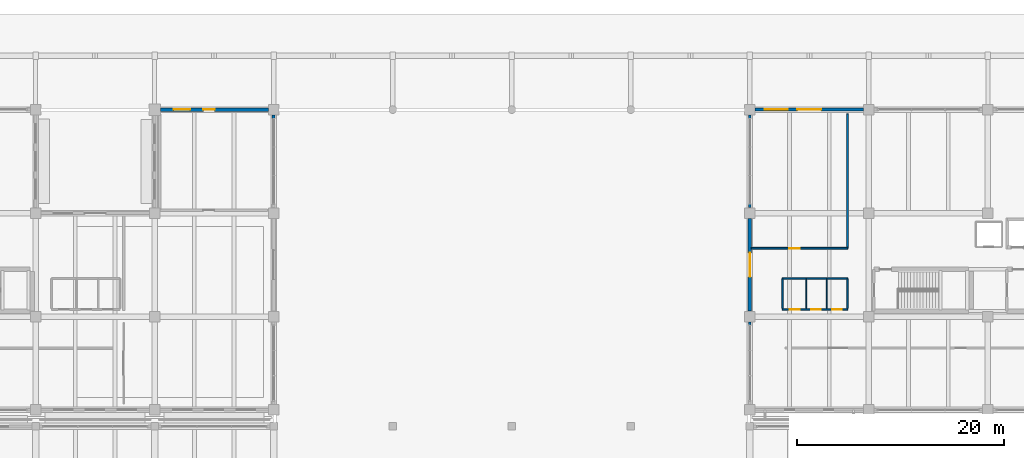
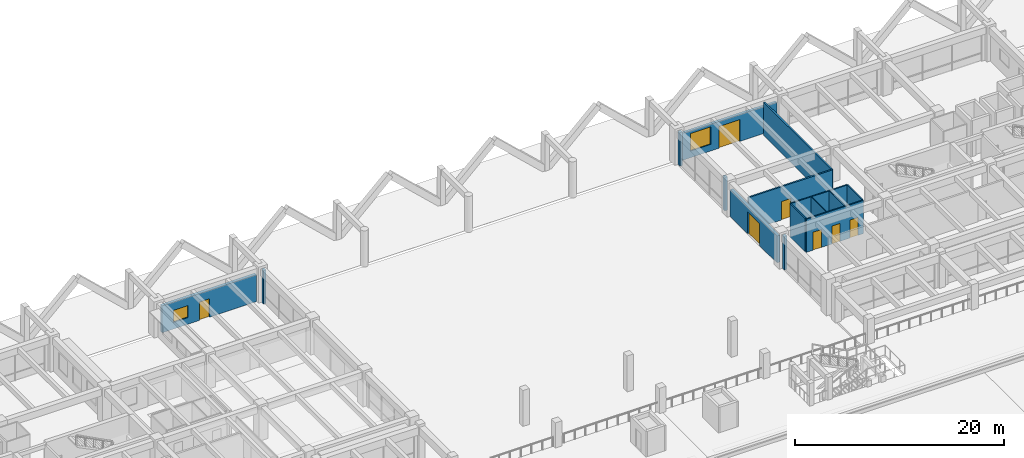
# One storey, part 87 of 109: 15 walls, 7 doors, 2 windows, 9 openings.
"""IFC4 building model written with IfcOpenShell, lengths in metres."""

from ifc_helpers import new_model, si_unit, direction, frame, frame_2d, origin, place, context, subcontext, project, spatial, rectangle, extrude, material, layer, layer_set, type_object, element, fill, save


model = new_model("IFC4")

# Units and contexts
model_context = context("Model", 3, precision=1e-05, world=origin(), true_north=direction((0.0, 1.0)))
body_context = subcontext(model_context, "Body", "Model", "MODEL_VIEW")
ifc_project = project(units=[si_unit("LENGTHUNIT", "METRE"), si_unit("AREAUNIT", "SQUARE_METRE"), si_unit("VOLUMEUNIT", "CUBIC_METRE"), si_unit("PLANEANGLEUNIT", "RADIAN"), si_unit("MASSUNIT", "GRAM", prefix="KILO")], contexts=[model_context])

# Site, building, storey
site_placement = place(None, origin())
site = spatial("IfcSite", under=ifc_project, at=site_placement, CompositionType="ELEMENT")
building_placement = place(site_placement, origin())
building = spatial("IfcBuilding", under=site, at=building_placement, Name="Ologun Quay Terminus", CompositionType="ELEMENT")
storey_placement = place(building_placement, origin())
storey = spatial("IfcBuildingStorey", under=building, at=storey_placement, Name="L00", CompositionType="ELEMENT", Elevation=0.0)

# Wall
ifc_material_1 = material(Name="Concrete C40/50", Category="concrete")
ifc_layer_1 = layer(ifc_material_1, 0.280029296875)
ifc_layer_set_1 = layer_set([ifc_layer_1], Name="Concrete C40/50")
wall_type_1 = type_object("IfcWallType", Name="Courtyard Wing Spandrel Concrete Wall 280", PredefinedType="SOLIDWALL", material=ifc_layer_set_1)
wall_1_placement = place(storey_placement, frame((69.0, 113.929931640625, 0.0), z_axis=(0.0, 0.0, 1.0), x_axis=(0.0, 1.0, 0.0)))
element("IfcWall", 1, at=wall_1_placement, inside=storey, type_object=wall_type_1, Name="Curtain Wall Jamb Pier CW-L00-095-J2", PredefinedType="SOLIDWALL", context=body_context, shape_type="SweptSolid", body=[
    extrude(rectangle(XDim=0.35009765625, YDim=0.280029296875, at=frame_2d((0.175048828125, 0.0))), origin(), (0.0, 0.0, 1.0), 3.929931640625),
])

# Wall, openings, window, door
wall_2_placement = place(storey_placement, frame((115.52001953125, 114.800048828125, 0.0), z_axis=(0.0, 0.0, 1.0), x_axis=(1.0, 0.0, 0.0)))
wall_2 = element("IfcWall", 2, at=wall_2_placement, inside=storey, type_object=wall_type_1, Name="EW-02 Facade Wall WEW-EW-L00-17", PredefinedType="SOLIDWALL", context=body_context, shape_type="SweptSolid", body=[
    extrude(rectangle(XDim=10.4599609375, YDim=0.280029296875, at=frame_2d((5.22998046875, 0.0))), origin(), (0.0, 0.0, 1.0), 3.14990234375),
])
opening_1_placement = place(wall_2_placement, frame((4.080078125, 0.0, 0.0)))
opening_1 = element("IfcOpeningElement", 3, at=opening_1_placement, cuts=wall_2, Name="Opening ED-026", PredefinedType="OPENING", context=body_context, shape_type="SweptSolid", body=[
    extrude(rectangle(XDim=2.300048828125, YDim=2.550048828125, at=frame_2d((1.14990234375, 1.27490234375))), frame((0.0, 0.14990234375, 0.0), z_axis=(0.0, -1.0, 0.0), x_axis=(1.0, 0.0, 0.0)), (0.0, 0.0, 1.0), 0.300048828125),
])
opening_2_placement = place(wall_2_placement, frame((0.9150390625, 0.0, 0.780029296875)))
opening_2 = element("IfcOpeningElement", 4, at=opening_2_placement, cuts=wall_2, Name="Opening WN-355", PredefinedType="OPENING", context=body_context, shape_type="SweptSolid", body=[
    extrude(rectangle(XDim=2.25, YDim=2.050048828125, at=frame_2d((1.125, 1.02490234375))), frame((0.0, 0.14990234375, 0.0), z_axis=(0.0, -1.0, 0.0), x_axis=(1.0, 0.0, 0.0)), (0.0, 0.0, 1.0), 0.300048828125),
])
ifc_material_2 = material(Name="Glass", Category="glass")
window_type_1 = type_object("IfcWindowType", Name="Operations Reception Window 2250x2050", PartitioningType="SINGLE_PANEL", PredefinedType="WINDOW", material=ifc_material_2)
window_1_placement = place(opening_2_placement, origin())
window_1 = element("IfcWindow", 5, at=window_1_placement, inside=storey, type_object=window_type_1, Name="W-36 Window WN-355", OverallHeight=2.050048828125, OverallWidth=2.25, PartitioningType="SINGLE_PANEL", PredefinedType="WINDOW", context=body_context, shape_type="SweptSolid", body=[
    extrude(rectangle(XDim=2.25, YDim=2.050048828125, at=frame_2d((1.125, 1.02490234375))), frame((0.0, 0.030029296875, 0.0), z_axis=(0.0, -1.0, 0.0), x_axis=(1.0, 0.0, 0.0)), (0.0, 0.0, 1.0), 0.06005859375),
])
fill(opening_2, window_1)
ifc_material_3 = material(Name="Glass", Category="glass")
door_type_1 = type_object("IfcDoorType", Name="Operations Wing Entrance Portal 2300x2550", OperationType="DOUBLE_DOOR_SINGLE_SWING", PredefinedType="DOOR", material=ifc_material_3)
door_1_placement = place(opening_1_placement, origin())
door_1 = element("IfcDoor", 6, at=door_1_placement, inside=storey, type_object=door_type_1, Name="D-10 Exterior Door ED-026", OperationType="DOUBLE_DOOR_SINGLE_SWING", OverallHeight=2.550048828125, OverallWidth=2.300048828125, PredefinedType="DOOR", context=body_context, shape_type="SweptSolid", body=[
    extrude(rectangle(XDim=2.300048828125, YDim=2.550048828125, at=frame_2d((1.14990234375, 1.27490234375))), frame((0.0, 0.02490234375, 0.0), z_axis=(0.0, -1.0, 0.0), x_axis=(1.0, 0.0, 0.0)), (0.0, 0.0, 1.0), 0.050048828125),
])
fill(opening_1, door_1)

# Walls
wall_3_placement = place(storey_placement, frame((115.0, 93.929931640625, 0.0), z_axis=(0.0, 0.0, 1.0), x_axis=(0.0, 1.0, 0.0)))
element("IfcWall", 7, at=wall_3_placement, inside=storey, type_object=wall_type_1, Name="Curtain Wall Jamb Pier CW-L00-122-J2", PredefinedType="SOLIDWALL", context=body_context, shape_type="SweptSolid", body=[
    extrude(rectangle(XDim=0.35009765625, YDim=0.280029296875, at=frame_2d((0.175048828125, 0.0))), origin(), (0.0, 0.0, 1.0), 3.929931640625),
])
wall_4_placement = place(storey_placement, frame((115.0, 105.320068359375, 0.0), z_axis=(0.0, 0.0, 1.0), x_axis=(0.0, 1.0, 0.0)))
element("IfcWall", 8, at=wall_4_placement, inside=storey, type_object=wall_type_1, Name="Curtain Wall Jamb Pier CW-L00-123-J1", PredefinedType="SOLIDWALL", context=body_context, shape_type="SweptSolid", body=[
    extrude(rectangle(XDim=0.349853515625, YDim=0.280029296875, at=frame_2d((0.1748046875, 0.0))), origin(), (0.0, 0.0, 1.0), 3.929931640625),
])
wall_5_placement = place(storey_placement, frame((115.0, 113.929931640625, 0.0), z_axis=(0.0, 0.0, 1.0), x_axis=(0.0, 1.0, 0.0)))
element("IfcWall", 9, at=wall_5_placement, inside=storey, type_object=wall_type_1, Name="Curtain Wall Jamb Pier CW-L00-123-J2", PredefinedType="SOLIDWALL", context=body_context, shape_type="SweptSolid", body=[
    extrude(rectangle(XDim=0.35009765625, YDim=0.280029296875, at=frame_2d((0.175048828125, 0.0))), origin(), (0.0, 0.0, 1.0), 3.929931640625),
])
ifc_material_4 = material(Name="Gypsum Acoustic Stud")
ifc_layer_2 = layer(ifc_material_4, 0.10498046875)
ifc_layer_set_2 = layer_set([ifc_layer_2], Name="Gypsum Acoustic Stud")
wall_type_2 = type_object("IfcWallType", Name="Light Cubicle Partition 105", PredefinedType="PARTITIONING", material=ifc_layer_set_2)
for number, where, z_axis, x_axis, name in (
    (10, (120.449951171875, 95.60009765625, 0.0), (0.0, 0.0, 1.0), (0.0, 1.0, 0.0), "PW-13 Partition EWC-D1"),
    (11, (122.449951171875, 95.60009765625, 0.0), (0.0, 0.0, 1.0), (0.0, 1.0, 0.0), "PW-13 Partition EWC-D2"),
):
    element("IfcWall", number, at=place(storey_placement, frame(where, z_axis=z_axis, x_axis=x_axis)), inside=storey, type_object=wall_type_2, Name=name, PredefinedType="PARTITIONING", context=body_context, shape_type="SweptSolid", body=[
        extrude(rectangle(XDim=2.849853515625, YDim=0.10498046875, at=frame_2d((1.4248046875, 0.0))), origin(), (0.0, 0.0, 1.0), 3.8798828125),
    ])

# Wall, opening, door
ifc_material_5 = material(Name="Gypsum Acoustic Stud")
ifc_layer_3 = layer(ifc_material_5, 0.175048828125)
ifc_layer_set_3 = layer_set([ifc_layer_3], Name="Gypsum Acoustic Stud")
wall_type_3 = type_object("IfcWallType", Name="Operations & Control Acoustic Partition 175", PredefinedType="PARTITIONING", material=ifc_layer_set_3)
wall_6_placement = place(storey_placement, frame((115.159912109375, 101.39990234375, 0.0), z_axis=(0.0, 0.0, 1.0), x_axis=(1.0, 0.0, 0.0)))
wall_6 = element("IfcWall", 12, at=wall_6_placement, inside=storey, type_object=wall_type_3, Name="PW-03 Partition L00-OpsRec-E", PredefinedType="PARTITIONING", context=body_context, shape_type="SweptSolid", body=[
    extrude(rectangle(XDim=9.2900390625, YDim=0.175048828125, at=frame_2d((4.64501953125, 0.0))), origin(), (0.0, 0.0, 1.0), 3.8798828125),
])
opening_3_placement = place(wall_6_placement, frame((3.639892578125, 0.0, 0.0)))
opening_3 = element("IfcOpeningElement", 13, at=opening_3_placement, cuts=wall_6, Name="Opening ID-300", PredefinedType="OPENING", context=body_context, shape_type="SweptSolid", body=[
    extrude(rectangle(XDim=1.02001953125, YDim=2.14990234375, at=frame_2d((0.510009765625, 1.074951171875))), frame((0.0, 0.09765625, 0.0), z_axis=(0.0, -1.0, 0.0), x_axis=(1.0, 0.0, 0.0)), (0.0, 0.0, 1.0), 0.195068359375),
])
ifc_material_6 = material(Name="Timber Hardwood", Category="wood")
door_type_2 = type_object("IfcDoorType", Name="Administration Suite Door 1020x2150", OperationType="SINGLE_SWING_RIGHT", PredefinedType="DOOR", material=ifc_material_6)
door_2_placement = place(opening_3_placement, origin())
door_2 = element("IfcDoor", 14, at=door_2_placement, inside=storey, type_object=door_type_2, Name="ID-02 Door ID-300", OperationType="SINGLE_SWING_RIGHT", OverallHeight=2.14990234375, OverallWidth=1.02001953125, PredefinedType="DOOR", context=body_context, shape_type="SweptSolid", body=[
    extrude(rectangle(XDim=1.02001953125, YDim=2.14990234375, at=frame_2d((0.510009765625, 1.074951171875))), frame((0.0, 0.02490234375, 0.0), z_axis=(0.0, -1.0, 0.0), x_axis=(1.0, 0.0, 0.0)), (0.0, 0.0, 1.0), 0.050048828125),
])
fill(opening_3, door_2)

# Wall
wall_7_placement = place(storey_placement, frame((124.449951171875, 101.39990234375, 0.0), z_axis=(0.0, 0.0, 1.0), x_axis=(0.0, 1.0, 0.0)))
element("IfcWall", 15, at=wall_7_placement, inside=storey, type_object=wall_type_3, Name="PW-03 Partition L00-OpsRec-N", PredefinedType="PARTITIONING", context=body_context, shape_type="SweptSolid", body=[
    extrude(rectangle(XDim=13.0, YDim=0.175048828125, at=frame_2d((6.5, 0.0))), origin(), (0.0, 0.0, 1.0), 3.8798828125),
])

# Wall, openings, window, door
ifc_material_7 = material(Name="Concrete C40/50", Category="concrete")
ifc_layer_4 = layer(ifc_material_7, 0.320068359375)
ifc_layer_set_4 = layer_set([ifc_layer_4], Name="Concrete C40/50")
wall_type_4 = type_object("IfcWallType", Name="Podium Sculpted Concrete Facade Wall 320", PredefinedType="SOLIDWALL", material=ifc_layer_set_4)
wall_8_placement = place(storey_placement, frame((58.070068359375, 114.800048828125, 0.0), z_axis=(0.0, 0.0, 1.0), x_axis=(1.0, 0.0, 0.0)))
wall_8 = element("IfcWall", 16, at=wall_8_placement, inside=storey, type_object=wall_type_4, Name="EW-01 Facade Wall WEW-WW-FCR-10", PredefinedType="SOLIDWALL", context=body_context, shape_type="SweptSolid", body=[
    extrude(rectangle(XDim=10.409912109375, YDim=0.320068359375, at=frame_2d((5.205078125, 0.0))), origin(), (0.0, 0.0, 1.0), 3.14990234375),
])
opening_4_placement = place(wall_8_placement, frame((4.134521484375, 0.0, 0.0)))
opening_4 = element("IfcOpeningElement", 17, at=opening_4_placement, cuts=wall_8, Name="Opening ED-013", PredefinedType="OPENING", context=body_context, shape_type="SweptSolid", body=[
    extrude(rectangle(XDim=1.10009765625, YDim=2.14990234375, at=frame_2d((0.550048828125, 1.074951171875))), frame((0.0, 0.169921875, 0.0), z_axis=(0.0, -1.0, 0.0), x_axis=(1.0, 0.0, 0.0)), (0.0, 0.0, 1.0), 0.340087890625),
])
opening_5_placement = place(wall_8_placement, frame((1.267333984375, 0.0, 0.780029296875)))
opening_5 = element("IfcOpeningElement", 18, at=opening_5_placement, cuts=wall_8, Name="Opening WN-166", PredefinedType="OPENING", context=body_context, shape_type="SweptSolid", body=[
    extrude(rectangle(XDim=1.60009765625, YDim=1.39990234375, at=frame_2d((0.800048828125, 0.699951171875))), frame((0.0, 0.169921875, 0.0), z_axis=(0.0, -1.0, 0.0), x_axis=(1.0, 0.0, 0.0)), (0.0, 0.0, 1.0), 0.340087890625),
])
ifc_material_8 = material(Name="Glass", Category="glass")
window_type_2 = type_object("IfcWindowType", Name="Fire Command Observation Window 1600x1400", PartitioningType="SINGLE_PANEL", PredefinedType="WINDOW", material=ifc_material_8)
window_2_placement = place(opening_5_placement, origin())
window_2 = element("IfcWindow", 19, at=window_2_placement, inside=storey, type_object=window_type_2, Name="W-31 Window WN-166", OverallHeight=1.39990234375, OverallWidth=1.60009765625, PartitioningType="SINGLE_PANEL", PredefinedType="WINDOW", context=body_context, shape_type="SweptSolid", body=[
    extrude(rectangle(XDim=1.60009765625, YDim=1.39990234375, at=frame_2d((0.800048828125, 0.699951171875))), frame((0.0, 0.030029296875, 0.0), z_axis=(0.0, -1.0, 0.0), x_axis=(1.0, 0.0, 0.0)), (0.0, 0.0, 1.0), 0.06005859375),
])
fill(opening_5, window_2)
ifc_material_9 = material(Name="Steel S355", Category="steel")
door_type_3 = type_object("IfcDoorType", Name="Fire Service Direct Access Door 1100x2150", OperationType="SINGLE_SWING_LEFT", PredefinedType="DOOR", material=ifc_material_9)
door_3_placement = place(opening_4_placement, origin())
door_3 = element("IfcDoor", 20, at=door_3_placement, inside=storey, type_object=door_type_3, Name="D-06 Exterior Door ED-013", OperationType="SINGLE_SWING_LEFT", OverallHeight=2.14990234375, OverallWidth=1.10009765625, PredefinedType="DOOR", context=body_context, shape_type="SweptSolid", body=[
    extrude(rectangle(XDim=1.10009765625, YDim=2.14990234375, at=frame_2d((0.550048828125, 1.074951171875))), frame((0.0, 0.02490234375, 0.0), z_axis=(0.0, -1.0, 0.0), x_axis=(1.0, 0.0, 0.0)), (0.0, 0.0, 1.0), 0.050048828125),
])
fill(opening_4, door_3)

# Wall, opening, door
wall_9_placement = place(storey_placement, frame((115.0, 95.320068359375, 0.0), z_axis=(0.0, 0.0, 1.0), x_axis=(0.0, 1.0, 0.0)))
wall_9 = element("IfcWall", 21, at=wall_9_placement, inside=storey, type_object=wall_type_4, Name="EW-01 Facade Wall WEW-EW-CRT-21", PredefinedType="SOLIDWALL", context=body_context, shape_type="SweptSolid", body=[
    extrude(rectangle(XDim=8.9599609375, YDim=0.320068359375, at=frame_2d((4.47998046875, 0.0))), origin(), (0.0, 0.0, 1.0), 3.14990234375),
])
opening_6_placement = place(wall_9_placement, frame((3.330078125, 0.0, 0.0)))
opening_6 = element("IfcOpeningElement", 22, at=opening_6_placement, cuts=wall_9, Name="Opening ED-027", PredefinedType="OPENING", context=body_context, shape_type="SweptSolid", body=[
    extrude(rectangle(XDim=2.300048828125, YDim=2.550048828125, at=frame_2d((1.14990234375, 1.27490234375))), frame((0.0, 0.169921875, 0.0), z_axis=(0.0, -1.0, 0.0), x_axis=(1.0, 0.0, 0.0)), (0.0, 0.0, 1.0), 0.340087890625),
])
door_4_placement = place(opening_6_placement, origin())
door_4 = element("IfcDoor", 23, at=door_4_placement, inside=storey, type_object=door_type_1, Name="D-10 Exterior Door ED-027", OperationType="DOUBLE_DOOR_SINGLE_SWING", OverallHeight=2.550048828125, OverallWidth=2.300048828125, PredefinedType="DOOR", context=body_context, shape_type="SweptSolid", body=[
    extrude(rectangle(XDim=2.300048828125, YDim=2.550048828125, at=frame_2d((1.14990234375, 1.27490234375))), frame((0.0, 0.02490234375, 0.0), z_axis=(0.0, -1.0, 0.0), x_axis=(1.0, 0.0, 0.0)), (0.0, 0.0, 1.0), 0.050048828125),
])
fill(opening_6, door_4)

# Wall, openings, doors
ifc_material_10 = material(Name="Concrete C40/50", Category="concrete")
ifc_layer_5 = layer(ifc_material_10, 0.139892578125)
ifc_layer_set_5 = layer_set([ifc_layer_5], Name="Concrete C40/50")
wall_type_5 = type_object("IfcWallType", Name="Sanitary Wet-Area Blockwork Wall 140", PredefinedType="PLUMBINGWALL", material=ifc_layer_set_5)
wall_10_placement = place(storey_placement, frame((118.14990234375, 95.5, 0.0), z_axis=(0.0, 0.0, 1.0), x_axis=(1.0, 0.0, 0.0)))
wall_10 = element("IfcWall", 24, at=wall_10_placement, inside=storey, type_object=wall_type_5, Name="PW-06 Partition EWC-S", PredefinedType="PLUMBINGWALL", context=body_context, shape_type="SweptSolid", body=[
    extrude(rectangle(XDim=6.300048828125, YDim=0.139892578125, at=frame_2d((3.14990234375, 0.0))), origin(), (0.0, 0.0, 1.0), 3.8798828125),
])
opening_7_placement = place(wall_10_placement, frame((0.719970703125, 0.0, 0.0)))
opening_7 = element("IfcOpeningElement", 25, at=opening_7_placement, cuts=wall_10, Name="Opening ID-171", PredefinedType="OPENING", context=body_context, shape_type="SweptSolid", body=[
    extrude(rectangle(XDim=0.949951171875, YDim=2.10009765625, at=frame_2d((0.47509765625, 1.050048828125))), frame((0.0, 0.080078125, 0.0), z_axis=(0.0, -1.0, 0.0), x_axis=(1.0, 0.0, 0.0)), (0.0, 0.0, 1.0), 0.159912109375),
])
opening_8_placement = place(wall_10_placement, frame((2.800048828125, 0.0, 0.0)))
opening_8 = element("IfcOpeningElement", 26, at=opening_8_placement, cuts=wall_10, Name="Opening ID-172", PredefinedType="OPENING", context=body_context, shape_type="SweptSolid", body=[
    extrude(rectangle(XDim=0.919921875, YDim=2.10009765625, at=frame_2d((0.4599609375, 1.050048828125))), frame((0.0, 0.080078125, 0.0), z_axis=(0.0, -1.0, 0.0), x_axis=(1.0, 0.0, 0.0)), (0.0, 0.0, 1.0), 0.159912109375),
])
opening_9_placement = place(wall_10_placement, frame((4.800048828125, 0.0, 0.0)))
opening_9 = element("IfcOpeningElement", 27, at=opening_9_placement, cuts=wall_10, Name="Opening ID-173", PredefinedType="OPENING", context=body_context, shape_type="SweptSolid", body=[
    extrude(rectangle(XDim=0.919921875, YDim=2.10009765625, at=frame_2d((0.4599609375, 1.050048828125))), frame((0.0, 0.080078125, 0.0), z_axis=(0.0, -1.0, 0.0), x_axis=(1.0, 0.0, 0.0)), (0.0, 0.0, 1.0), 0.159912109375),
])
ifc_material_11 = material(Name="Timber Hardwood", Category="wood")
door_type_4 = type_object("IfcDoorType", Name="Accessible WC Outward-Swing Door 950x2100", OperationType="SINGLE_SWING_LEFT", PredefinedType="DOOR", material=ifc_material_11)
door_5_placement = place(opening_7_placement, frame((0.47509765625, 0.0, 0.0), z_axis=(0.0, 0.0, 1.0), x_axis=(-1.0, 0.0, 0.0)))
door_5 = element("IfcDoor", 28, at=door_5_placement, inside=storey, type_object=door_type_4, Name="ID-04 Door ID-171", OperationType="SINGLE_SWING_LEFT", OverallHeight=2.10009765625, OverallWidth=0.949951171875, PredefinedType="DOOR", context=body_context, shape_type="SweptSolid", body=[
    extrude(rectangle(XDim=0.949951171875, YDim=2.10009765625, at=frame_2d((0.0, 1.050048828125))), frame((0.0, 0.02490234375, 0.0), z_axis=(0.0, -1.0, 0.0), x_axis=(1.0, 0.0, 0.0)), (0.0, 0.0, 1.0), 0.050048828125),
])
fill(opening_7, door_5)
ifc_material_12 = material(Name="Timber Hardwood", Category="wood")
door_type_5 = type_object("IfcDoorType", Name="Sanitary Block Entrance Door 920x2100", OperationType="SINGLE_SWING_RIGHT", PredefinedType="DOOR", material=ifc_material_12)
door_6_placement = place(opening_8_placement, origin())
door_6 = element("IfcDoor", 29, at=door_6_placement, inside=storey, type_object=door_type_5, Name="ID-05 Door ID-172", OperationType="SINGLE_SWING_RIGHT", OverallHeight=2.10009765625, OverallWidth=0.919921875, PredefinedType="DOOR", context=body_context, shape_type="SweptSolid", body=[
    extrude(rectangle(XDim=0.919921875, YDim=2.10009765625, at=frame_2d((0.4599609375, 1.050048828125))), frame((0.0, 0.02490234375, 0.0), z_axis=(0.0, -1.0, 0.0), x_axis=(1.0, 0.0, 0.0)), (0.0, 0.0, 1.0), 0.050048828125),
])
fill(opening_8, door_6)
door_7_placement = place(opening_9_placement, origin())
door_7 = element("IfcDoor", 30, at=door_7_placement, inside=storey, type_object=door_type_5, Name="ID-05 Door ID-173", OperationType="SINGLE_SWING_RIGHT", OverallHeight=2.10009765625, OverallWidth=0.919921875, PredefinedType="DOOR", context=body_context, shape_type="SweptSolid", body=[
    extrude(rectangle(XDim=0.919921875, YDim=2.10009765625, at=frame_2d((0.4599609375, 1.050048828125))), frame((0.0, 0.02490234375, 0.0), z_axis=(0.0, -1.0, 0.0), x_axis=(1.0, 0.0, 0.0)), (0.0, 0.0, 1.0), 0.050048828125),
])
fill(opening_9, door_7)

# Walls
for number, where, z_axis, x_axis, name in (
    (31, (118.14990234375, 95.60009765625, 0.0), (0.0, 0.0, 1.0), (0.0, 1.0, 0.0), "PW-06 Partition EWC-W"),
    (32, (124.449951171875, 95.60009765625, 0.0), (0.0, 0.0, 1.0), (0.0, 1.0, 0.0), "PW-06 Partition EWC-E"),
):
    element("IfcWall", number, at=place(storey_placement, frame(where, z_axis=z_axis, x_axis=x_axis)), inside=storey, type_object=wall_type_5, Name=name, PredefinedType="PLUMBINGWALL", context=body_context, shape_type="SweptSolid", body=[
        extrude(rectangle(XDim=2.849853515625, YDim=0.139892578125, at=frame_2d((1.4248046875, 0.0))), origin(), (0.0, 0.0, 1.0), 3.8798828125),
    ])
wall_11_placement = place(storey_placement, frame((118.14990234375, 98.5, 0.0), z_axis=(0.0, 0.0, 1.0), x_axis=(1.0, 0.0, 0.0)))
element("IfcWall", 33, at=wall_11_placement, inside=storey, type_object=wall_type_5, Name="PW-06 Partition EWC-N", PredefinedType="PLUMBINGWALL", context=body_context, shape_type="SweptSolid", body=[
    extrude(rectangle(XDim=6.300048828125, YDim=0.139892578125, at=frame_2d((3.14990234375, 0.0))), origin(), (0.0, 0.0, 1.0), 3.8798828125),
])

save(model, "model.ifc")
